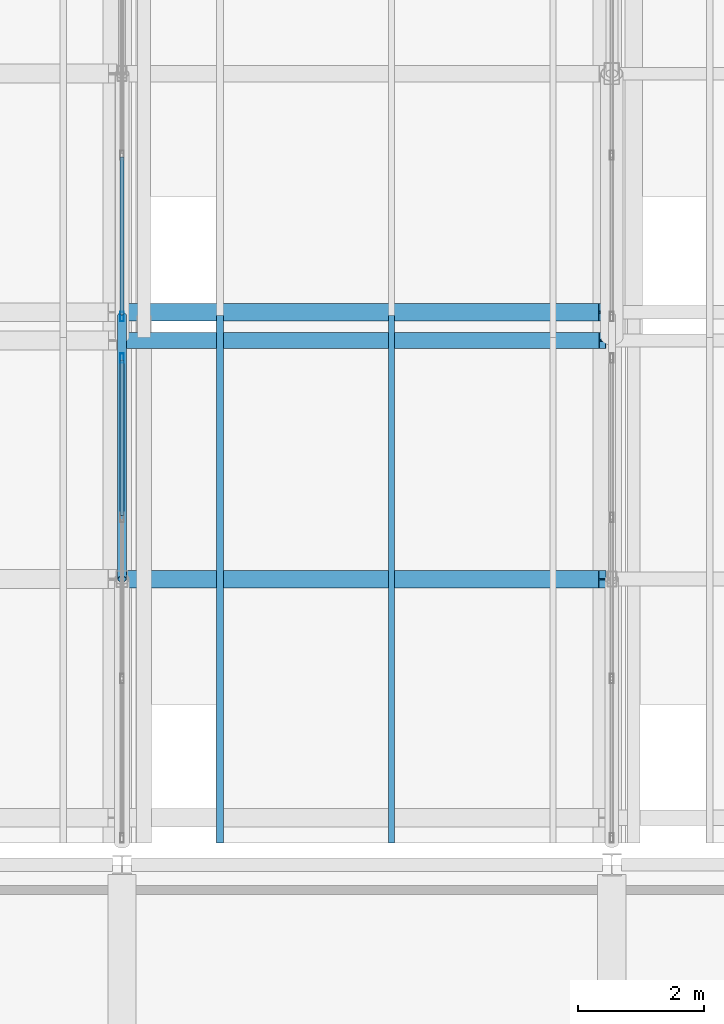
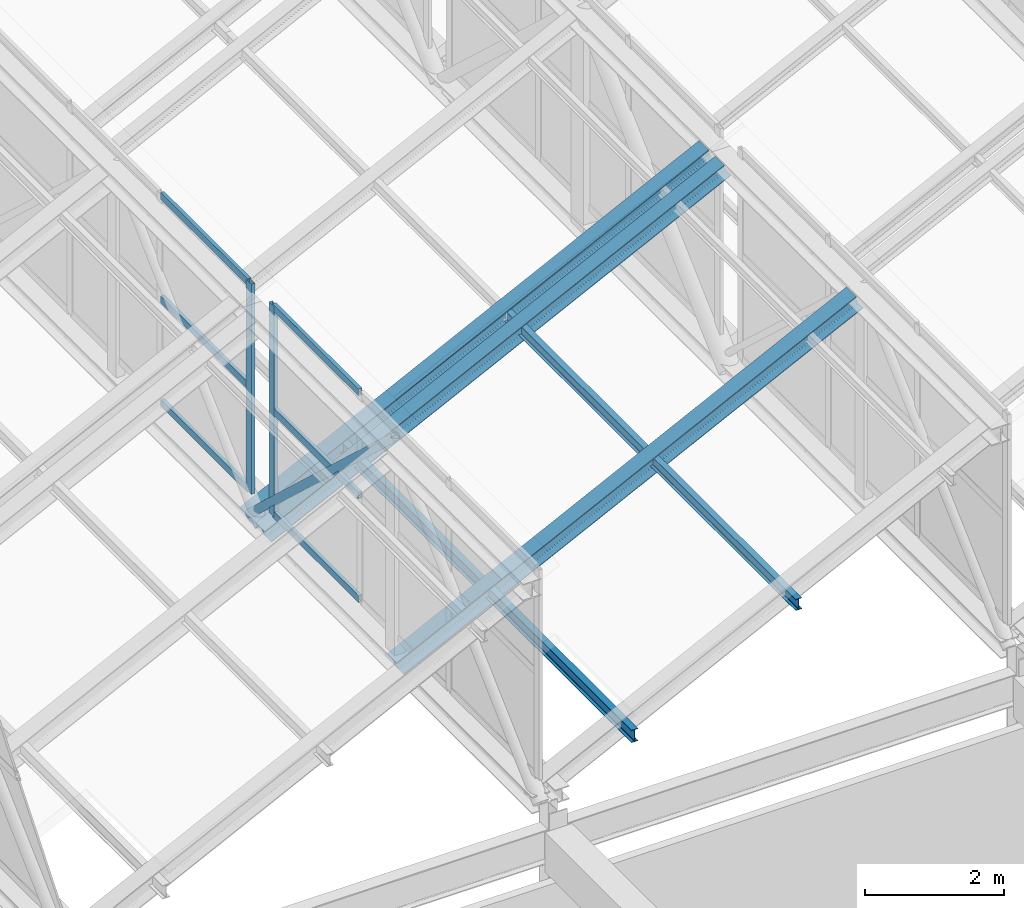
# One storey, part 17 of 101: 14 members, 2 elements without a shape of their own.
"""IFC4 building model written with IfcOpenShell, lengths in metres."""

from ifc_helpers import new_model, si_unit, direction, frame, origin, origin_2d, place, context, subcontext, project, spatial, hollow_rectangle, hollow_circle, i_section, extrude, material, layer, layer_set, material_profile, profile_set, type_object, element, aggregate, save


model = new_model("IFC4")

# Units and contexts
model_context = context("Model", 3, precision=1e-05, world=origin(), true_north=direction((0.0, 1.0)))
body_context = subcontext(model_context, "Body", "Model", "MODEL_VIEW")
ifc_project = project(units=[si_unit("LENGTHUNIT", "METRE"), si_unit("AREAUNIT", "SQUARE_METRE"), si_unit("VOLUMEUNIT", "CUBIC_METRE"), si_unit("PLANEANGLEUNIT", "RADIAN"), si_unit("MASSUNIT", "GRAM", prefix="KILO")], contexts=[model_context])

# Site, building, storey
site_placement = place(None, origin())
site = spatial("IfcSite", under=ifc_project, at=site_placement, CompositionType="ELEMENT")
building_placement = place(site_placement, origin())
building = spatial("IfcBuilding", under=site, at=building_placement, Name="Zizhar Promenade General Hospital", CompositionType="ELEMENT")
storey_placement = place(building_placement, frame((0.0, 0.0, 14.39990234375)))
storey = spatial("IfcBuildingStorey", under=building, at=storey_placement, Name="L03", CompositionType="ELEMENT", Elevation=14.39990234375)

# Curtain wall, member
ifc_material_1 = material(Name="Anodised aluminium 6063-T6 and low-E glass", Category="aluminium")
ifc_layer_1 = layer(ifc_material_1, 0.159912109375)
ifc_layer_set_1 = layer_set([ifc_layer_1], Name="Anodised aluminium 6063-T6 and low-E glass")
curtain_wall_type_1 = type_object("IfcCurtainWallType", Name="CW-SAW-NL1", PredefinedType="NOTDEFINED", material=ifc_layer_set_1)
curtain_wall_1_placement = place(storey_placement, origin())
curtain_wall_1 = element("IfcCurtainWall", 1, at=curtain_wall_1_placement, inside=storey, type_object=curtain_wall_type_1, Name="Sawtooth Clerestory Light B2-S1", PredefinedType="NOTDEFINED")
ifc_material_2 = material(Name="Anodised aluminium 6063-T6", Category="aluminium")
ifc_material_profile_1 = material_profile(ifc_material_2, hollow_rectangle(XDim=0.06005859375, YDim=0.14990234375, WallThickness=0.00390625, at=origin_2d()))
ifc_profile_set_1 = profile_set([ifc_material_profile_1], Name="Anodised aluminium 6063-T6")
member_type_1 = type_object("IfcMemberType", Name="CWM-ALU-150x60", PredefinedType="MULLION", material=ifc_profile_set_1)
member_1_placement = place(storey_placement, frame((85.800048828125, 33.27001953125, 3.85009765625), z_axis=(0.0, 0.0, 1.0), x_axis=(-1.0, 0.0, 0.0)))
member_1 = element("IfcMember", 2, at=member_1_placement, type_object=member_type_1, Name="CW-03 mullion 4", PredefinedType="MULLION", context=body_context, shape_type="SweptSolid", body=[
    extrude(hollow_rectangle(XDim=0.06005859375, YDim=0.14990234375, WallThickness=0.00390625, at=origin_2d()), origin(), (0.0, 0.0, 1.0), 3.699951171875),
])

ifc_material_3 = material(Name="Anodised aluminium 6063-T6 and low-E glass", Category="aluminium")
ifc_layer_2 = layer(ifc_material_3, 0.159912109375)
ifc_layer_set_2 = layer_set([ifc_layer_2], Name="Anodised aluminium 6063-T6 and low-E glass")
curtain_wall_type_2 = type_object("IfcCurtainWallType", Name="CW-SAW-NL2", PredefinedType="NOTDEFINED", material=ifc_layer_set_2)
curtain_wall_2_placement = place(storey_placement, origin())
curtain_wall_2 = element("IfcCurtainWall", 3, at=curtain_wall_2_placement, inside=storey, type_object=curtain_wall_type_2, Name="Sawtooth Clerestory Light B2-S2", PredefinedType="NOTDEFINED")
member_2_placement = place(storey_placement, frame((85.800048828125, 33.929931640625, 3.85009765625), z_axis=(0.0, 0.0, 1.0), x_axis=(-1.0, 0.0, 0.0)))
member_2 = element("IfcMember", 4, at=member_2_placement, type_object=member_type_1, Name="CW-04 mullion 1", PredefinedType="MULLION", context=body_context, shape_type="SweptSolid", body=[
    extrude(hollow_rectangle(XDim=0.06005859375, YDim=0.14990234375, WallThickness=0.00390625, at=origin_2d()), origin(), (0.0, 0.0, 1.0), 3.699951171875),
])

# Member
ifc_material_4 = material(Name="Anodised aluminium 6063-T6", Category="aluminium")
ifc_material_profile_2 = material_profile(ifc_material_4, hollow_rectangle(XDim=0.06005859375, YDim=0.1201171875, WallThickness=0.00390625, at=origin_2d()))
ifc_profile_set_2 = profile_set([ifc_material_profile_2], Name="Anodised aluminium 6063-T6")
member_type_2 = type_object("IfcMemberType", Name="CWT-ALU-120x60", PredefinedType="USERDEFINED", material=ifc_profile_set_2)
member_3_placement = place(storey_placement, frame((85.800048828125, 30.763427734375, 3.880126953125), z_axis=(0.0, 1.0, 0.0), x_axis=(-1.0, 0.0, 0.0)))
member_3 = element("IfcMember", 5, at=member_3_placement, type_object=member_type_2, Name="CW-03 transom 3.1", ObjectType="TRANSOM", PredefinedType="USERDEFINED", context=body_context, shape_type="SweptSolid", body=[
    extrude(hollow_rectangle(XDim=0.06005859375, YDim=0.1201171875, WallThickness=0.00390625, at=origin_2d()), origin(), (0.0, 0.0, 1.0), 2.4765625),
])

member_4_placement = place(storey_placement, frame((85.800048828125, 30.763427734375, 5.7001953125), z_axis=(0.0, 1.0, 0.0), x_axis=(-1.0, 0.0, 0.0)))
member_4 = element("IfcMember", 6, at=member_4_placement, type_object=member_type_2, Name="CW-03 transom 3.2", ObjectType="TRANSOM", PredefinedType="USERDEFINED", context=body_context, shape_type="SweptSolid", body=[
    extrude(hollow_rectangle(XDim=0.06005859375, YDim=0.1201171875, WallThickness=0.00390625, at=origin_2d()), origin(), (0.0, 0.0, 1.0), 2.4765625),
])

member_5_placement = place(storey_placement, frame((85.800048828125, 30.763427734375, 7.52001953125), z_axis=(0.0, 1.0, 0.0), x_axis=(-1.0, 0.0, 0.0)))
member_5 = element("IfcMember", 7, at=member_5_placement, type_object=member_type_2, Name="CW-03 transom 3.3", ObjectType="TRANSOM", PredefinedType="USERDEFINED", context=body_context, shape_type="SweptSolid", body=[
    extrude(hollow_rectangle(XDim=0.06005859375, YDim=0.1201171875, WallThickness=0.00390625, at=origin_2d()), origin(), (0.0, 0.0, 1.0), 2.4765625),
])

aggregate(curtain_wall_1, [member_1, member_3, member_4, member_5])

member_6_placement = place(storey_placement, frame((85.800048828125, 33.9599609375, 3.880126953125), z_axis=(0.0, 1.0, 0.0), x_axis=(-1.0, 0.0, 0.0)))
member_6 = element("IfcMember", 8, at=member_6_placement, type_object=member_type_2, Name="CW-04 transom 1.1", ObjectType="TRANSOM", PredefinedType="USERDEFINED", context=body_context, shape_type="SweptSolid", body=[
    extrude(hollow_rectangle(XDim=0.06005859375, YDim=0.1201171875, WallThickness=0.00390625, at=origin_2d()), origin(), (0.0, 0.0, 1.0), 2.510009765625),
])

member_7_placement = place(storey_placement, frame((85.800048828125, 33.9599609375, 5.7001953125), z_axis=(0.0, 1.0, 0.0), x_axis=(-1.0, 0.0, 0.0)))
member_7 = element("IfcMember", 9, at=member_7_placement, type_object=member_type_2, Name="CW-04 transom 1.2", ObjectType="TRANSOM", PredefinedType="USERDEFINED", context=body_context, shape_type="SweptSolid", body=[
    extrude(hollow_rectangle(XDim=0.06005859375, YDim=0.1201171875, WallThickness=0.00390625, at=origin_2d()), origin(), (0.0, 0.0, 1.0), 2.510009765625),
])

member_8_placement = place(storey_placement, frame((85.800048828125, 33.9599609375, 7.52001953125), z_axis=(0.0, 1.0, 0.0), x_axis=(-1.0, 0.0, 0.0)))
member_8 = element("IfcMember", 10, at=member_8_placement, type_object=member_type_2, Name="CW-04 transom 1.3", ObjectType="TRANSOM", PredefinedType="USERDEFINED", context=body_context, shape_type="SweptSolid", body=[
    extrude(hollow_rectangle(XDim=0.06005859375, YDim=0.1201171875, WallThickness=0.00390625, at=origin_2d()), origin(), (0.0, 0.0, 1.0), 2.510009765625),
])

aggregate(curtain_wall_2, [member_2, member_6, member_7, member_8])

# Members
ifc_material_5 = material(Name="Steel S355", Category="steel")
ifc_material_profile_3 = material_profile(ifc_material_5, hollow_circle(Radius=0.06982421875, WallThickness=0.00634765625, at=origin_2d()))
ifc_profile_set_3 = profile_set([ifc_material_profile_3], Name="Steel S355")
member_type_3 = type_object("IfcMemberType", Name="MEM-BRACE-CHS140", PredefinedType="BRACE", material=ifc_profile_set_3)
member_9_placement = place(storey_placement, frame((85.800048828125, 33.949951171875, 3.4501953125), z_axis=(0.0, -0.732798043082, 0.680446197767), x_axis=(1.0, 0.0, 0.0)))
element("IfcMember", 11, at=member_9_placement, inside=storey, type_object=member_type_3, Name="Sawtooth Truss Frame 3 Diagonal B1", PredefinedType="BRACE", context=body_context, shape_type="SweptSolid", body=[
    extrude(hollow_circle(Radius=0.06982421875, WallThickness=0.00634765625, at=origin_2d()), origin(), (0.0, 0.0, 1.0), 5.7314453125),
])
ifc_material_6 = material(Name="Steel S355", Category="steel")
ifc_material_profile_4 = material_profile(ifc_material_6, i_section(OverallWidth=0.10009765625, OverallDepth=0.199951171875, WebThickness=0.005615234375, FlangeThickness=0.008544921875, FilletRadius=0.011962890625, at=origin_2d()))
ifc_profile_set_4 = profile_set([ifc_material_profile_4], Name="Steel S355")
member_type_4 = type_object("IfcMemberType", Name="MEM-PURL-IPE200", PredefinedType="PURLIN", material=ifc_profile_set_4)
member_10_placement = place(storey_placement, frame((90.090087890625, 25.550048828125, 5.444580078125), z_axis=(0.0, 1.0, 0.0), x_axis=(-1.0, 0.0, 0.0)))
element("IfcMember", 12, at=member_10_placement, inside=storey, type_object=member_type_4, Name="Sawtooth Bay 3 Purlin 1-2", PredefinedType="PURLIN", context=body_context, shape_type="SweptSolid", body=[
    extrude(i_section(OverallWidth=0.10009765625, OverallDepth=0.199951171875, WebThickness=0.005615234375, FlangeThickness=0.008544921875, FilletRadius=0.011962890625, at=origin_2d()), origin(), (0.0, 0.0, 1.0), 8.39990234375),
])
ifc_material_7 = material(Name="Steel S355", Category="steel")
ifc_material_profile_5 = material_profile(ifc_material_7, i_section(OverallWidth=0.110107421875, OverallDepth=0.219970703125, WebThickness=0.005859375, FlangeThickness=0.00927734375, FilletRadius=0.011962890625, at=origin_2d()))
ifc_profile_set_5 = profile_set([ifc_material_profile_5], Name="Steel S355")
member_type_5 = type_object("IfcMemberType", Name="MEM-PURL-IPE220", PredefinedType="PURLIN", material=ifc_profile_set_5)
member_11_placement = place(storey_placement, frame((87.360107421875, 25.550048828125, 4.087158203125), z_axis=(0.0, 1.0, 0.0), x_axis=(-1.0, 0.0, 0.0)))
element("IfcMember", 13, at=member_11_placement, inside=storey, type_object=member_type_5, Name="Sawtooth Bay 3 Purlin 1-1", PredefinedType="PURLIN", context=body_context, shape_type="SweptSolid", body=[
    extrude(i_section(OverallWidth=0.110107421875, OverallDepth=0.219970703125, WebThickness=0.005859375, FlangeThickness=0.00927734375, FilletRadius=0.011962890625, at=origin_2d()), origin(), (0.0, 0.0, 1.0), 8.39990234375),
])
ifc_material_8 = material(Name="Steel S355", Category="steel")
ifc_material_profile_6 = material_profile(ifc_material_8, i_section(OverallWidth=0.260009765625, OverallDepth=0.25, WebThickness=0.007568359375, FlangeThickness=0.012451171875, FilletRadius=0.02392578125, at=origin_2d()))
ifc_profile_set_6 = profile_set([ifc_material_profile_6], Name="Steel S355")
member_type_6 = type_object("IfcMemberType", Name="MEM-RAFT-HEA260", PredefinedType="RAFTER", material=ifc_profile_set_6)
member_12_placement = place(storey_placement, frame((85.800048828125, 33.550048828125, 3.353759765625), z_axis=(0.896704881356, 0.0, 0.442628914276), x_axis=(0.0, 1.0, 0.0)))
element("IfcMember", 14, at=member_12_placement, inside=storey, type_object=member_type_6, Name="Sawtooth Bay 3 Rafter 1-3", PredefinedType="RAFTER", context=body_context, shape_type="SweptSolid", body=[
    extrude(i_section(OverallWidth=0.260009765625, OverallDepth=0.25, WebThickness=0.007568359375, FlangeThickness=0.012451171875, FilletRadius=0.02392578125, at=origin_2d()), origin(), (0.0, 0.0, 1.0), 8.531005859375),
])
ifc_material_9 = material(Name="Steel S355", Category="steel")
ifc_material_profile_7 = material_profile(ifc_material_9, i_section(OverallWidth=0.280029296875, OverallDepth=0.27001953125, WebThickness=0.008056640625, FlangeThickness=0.012939453125, FilletRadius=0.02392578125, at=origin_2d()))
ifc_profile_set_7 = profile_set([ifc_material_profile_7], Name="Steel S355")
member_type_7 = type_object("IfcMemberType", Name="MEM-RAFT-HEA280", PredefinedType="RAFTER", material=ifc_profile_set_7)
for number, where, z_axis, x_axis, name in (
    (15, (85.800048828125, 29.75, 3.3427734375), (0.896716239757, 0.0, 0.442605902983), (0.0, 1.0, 0.0), "Sawtooth Bay 3 Rafter 1-2"),
    (16, (85.800048828125, 34.0, 3.3427734375), (0.896716239757, 0.0, 0.442605902983), (0.0, 1.0, 0.0), "Sawtooth Bay 3 Rafter 2-1"),
):
    element("IfcMember", number, at=place(storey_placement, frame(where, z_axis=z_axis, x_axis=x_axis)), inside=storey, type_object=member_type_7, Name=name, PredefinedType="RAFTER", context=body_context, shape_type="SweptSolid", body=[
        extrude(i_section(OverallWidth=0.280029296875, OverallDepth=0.27001953125, WebThickness=0.008056640625, FlangeThickness=0.012939453125, FilletRadius=0.02392578125, at=origin_2d()), origin(), (0.0, 0.0, 1.0), 8.531005859375),
    ])

save(model, "model.ifc")
